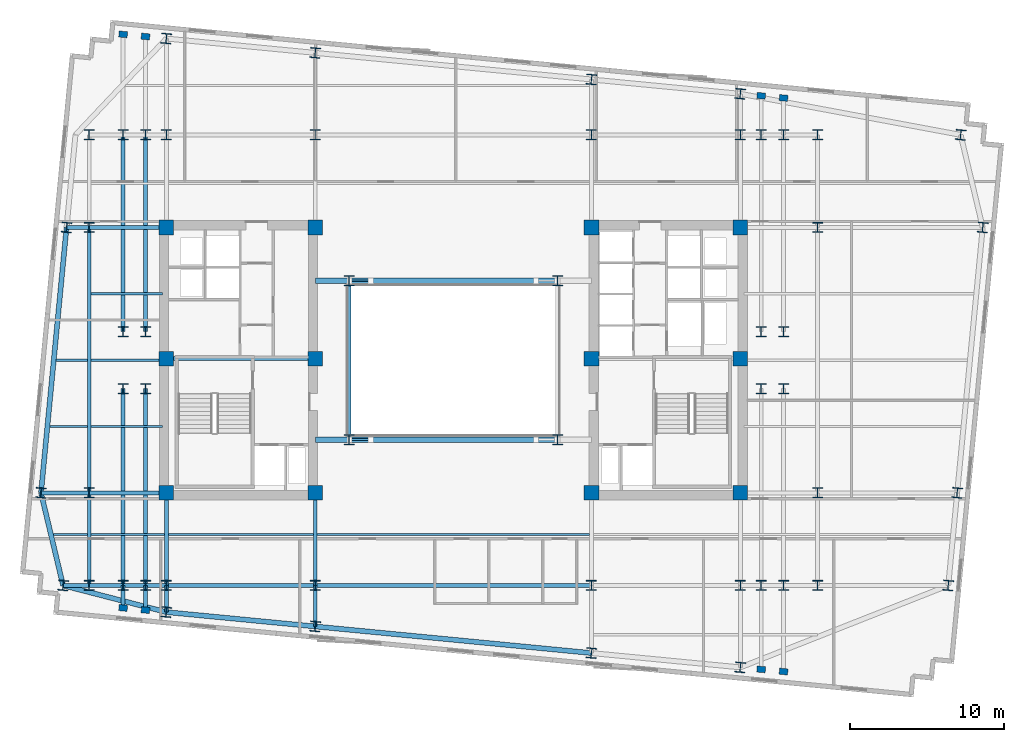
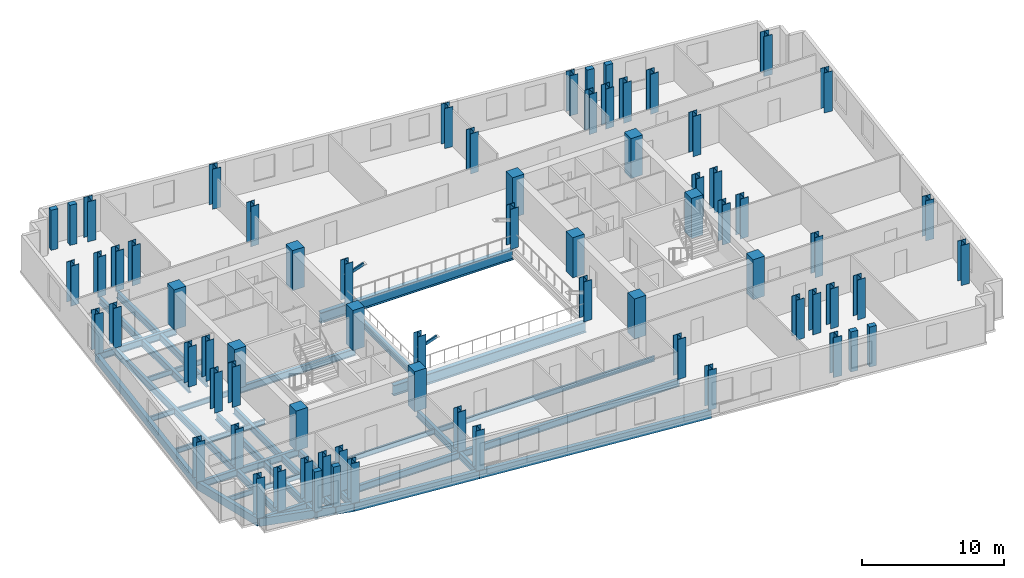
# One storey, part 1 of 9: 71 columns, 40 beams, 2 members.
"""IFC4 building model written with IfcOpenShell, lengths in metres."""

import ifcopenshell
import ifcopenshell.guid

model = None  # the IFC model being written
_history = None  # IfcOwnerHistory: only IFC2X3 demands one
_inside = {}  # id of a spatial element -> (the spatial element, [elements in it])
_under = {}  # id of a project, library or spatial element -> (it, [spatial elements below it])
_declared = {}  # id of a project -> (the project, [libraries it declares])
_typed = {}  # id of a type object -> (the type object, [elements of that type])
_made_of = {}  # id of a material, layer set ... -> (it, [elements and type objects made of it])


def new_model(schema):
    """Start an empty IFC model of exactly this schema.

    Asked for "IFC4X3", IfcOpenShell would pick the latest addendum, in which some entities
    have other attributes; the version numbers below select the first issue.
    IFC2X3 requires an IfcOwnerHistory on every rooted entity: one is made here for all.
    """
    global model, _history
    if schema == "IFC4X3":
        model = ifcopenshell.file(schema_version=(4, 3, 0, 0))
    else:
        model = ifcopenshell.file(schema=schema)
    _inside.clear()
    _under.clear()
    _declared.clear()
    _typed.clear()
    _made_of.clear()
    _history = None
    if model.schema == "IFC2X3":
        org = make("IfcOrganization", Name="unknown")
        user = make(
            "IfcPersonAndOrganization",
            ThePerson=make("IfcPerson", FamilyName="unknown"),
            TheOrganization=org,
        )
        app = make(
            "IfcApplication",
            ApplicationDeveloper=org,
            Version="unknown",
            ApplicationFullName="unknown",
            ApplicationIdentifier="unknown",
        )
        _history = make(
            "IfcOwnerHistory",
            OwningUser=user,
            OwningApplication=app,
            ChangeAction="ADDED",
            CreationDate=0,
        )
    return model


def make(cls, **values):
    """One entity of the class cls with the attributes given. An attribute that is None is left unset."""
    return model.create_entity(
        cls, **{name: value for name, value in values.items() if value is not None}
    )


def rooted(cls, **values):
    """An entity with a GlobalId (a new one), such as an element, a storey or a relation."""
    return make(cls, GlobalId=ifcopenshell.guid.new(), OwnerHistory=_history, **values)


def si_unit(unit_type, name, prefix=None):
    """IfcSIUnit, for example si_unit("LENGTHUNIT", "METRE", prefix="MILLI")."""
    return make("IfcSIUnit", UnitType=unit_type, Prefix=prefix, Name=name)


def assignment(units):
    """IfcUnitAssignment: the units of a project."""
    return None if units is None else make("IfcUnitAssignment", Units=units)


def point(xyz):
    """IfcCartesianPoint."""
    return None if xyz is None else make("IfcCartesianPoint", Coordinates=xyz)


def direction(xyz):
    """IfcDirection."""
    return None if xyz is None else make("IfcDirection", DirectionRatios=xyz)


def frame(location, z_axis=None, x_axis=None):
    """IfcAxis2Placement3D, a coordinate frame: its origin and axes. An axis left out is left unset."""
    return make(
        "IfcAxis2Placement3D",
        Location=point(location),
        Axis=direction(z_axis),
        RefDirection=direction(x_axis),
    )


def frame_2d(location, x_axis=None):
    """IfcAxis2Placement2D, a coordinate frame in the plane: its origin and x axis."""
    return make(
        "IfcAxis2Placement2D", Location=point(location), RefDirection=direction(x_axis)
    )


def origin():
    """The frame at (0, 0, 0) with its axes left unset."""
    return frame((0.0, 0.0, 0.0))


def origin_2d():
    """The frame at (0, 0) in the plane with its x axis left unset."""
    return frame_2d((0.0, 0.0))


def place(relative_to, where):
    """IfcLocalPlacement: puts the frame where relative to a parent placement (None: the world)."""
    return make(
        "IfcLocalPlacement", PlacementRelTo=relative_to, RelativePlacement=where
    )


def context(
    kind, dimensions, precision=None, world=None, true_north=None, identifier=None
):
    """IfcGeometricRepresentationContext, for example the 3D "Model" context."""
    return make(
        "IfcGeometricRepresentationContext",
        ContextIdentifier=identifier,
        ContextType=kind,
        CoordinateSpaceDimension=dimensions,
        Precision=precision,
        WorldCoordinateSystem=world,
        TrueNorth=true_north,
    )


def subcontext(parent, identifier, kind, view, scale=None):
    """IfcGeometricRepresentationSubContext, for example "Body" below "Model"."""
    return make(
        "IfcGeometricRepresentationSubContext",
        ContextIdentifier=identifier,
        ContextType=kind,
        ParentContext=parent,
        TargetScale=scale,
        TargetView=view,
    )


def project(units=None, contexts=None):
    """IfcProject with its units and contexts."""
    return rooted(
        "IfcProject",
        Name="project",
        RepresentationContexts=contexts,
        UnitsInContext=assignment(units),
    )


def spatial(cls, under=None, at=None, **own):
    """A site, building, storey or space (cls), placed at a placement, below another one or the project."""
    s = rooted(cls, ObjectPlacement=at, **own)
    if under is not None:
        _under.setdefault(under.id(), (under, []))[1].append(s)
    return s


def profile(cls, at=None, kind="AREA", **sizes):
    """A parametric profile (cls). Its sizes go by their IFC names, for example OverallWidth=200.0."""
    return make(cls, ProfileType=kind, Position=at, **sizes)


def rectangle(**sizes):
    """IfcRectangleProfileDef."""
    return profile("IfcRectangleProfileDef", **sizes)


def hollow_rectangle(**sizes):
    """IfcRectangleHollowProfileDef."""
    return profile("IfcRectangleHollowProfileDef", **sizes)


def i_section(**sizes):
    """IfcIShapeProfileDef."""
    return profile("IfcIShapeProfileDef", **sizes)


def extrude(swept, where, along, depth):
    """IfcExtrudedAreaSolid: the profile swept, set in the frame where, extruded along a direction by depth."""
    return make(
        "IfcExtrudedAreaSolid",
        SweptArea=swept,
        Position=where,
        ExtrudedDirection=direction(along),
        Depth=depth,
    )


def shape(context_of_items, identifier, shape_type, items):
    """IfcShapeRepresentation: the items that make up one representation, for example the "Body"."""
    return make(
        "IfcShapeRepresentation",
        ContextOfItems=context_of_items,
        RepresentationIdentifier=identifier,
        RepresentationType=shape_type,
        Items=items,
    )


def material(Name=None, Category=None):
    """IfcMaterial."""
    return make("IfcMaterial", Name=Name, Category=Category)


def material_profile(
    of_material, cross_section, Name=None, Category=None, Priority=None
):
    """IfcMaterialProfile: a cross section and its material."""
    return make(
        "IfcMaterialProfile",
        Name=Name,
        Material=of_material,
        Profile=cross_section,
        Priority=Priority,
        Category=Category,
    )


def profile_set(profiles, Name=None, composite=None):
    """IfcMaterialProfileSet."""
    return make(
        "IfcMaterialProfileSet",
        Name=Name,
        MaterialProfiles=profiles,
        CompositeProfile=composite,
    )


def made_of(thing, what):
    """Note that an element or type object is made of a material, layer set ...; save() writes the relation."""
    if what is not None:
        _made_of.setdefault(what.id(), (what, []))[1].append(thing)
    return thing


def type_object(cls, material=None, **own):
    """A type object (cls), such as IfcWallType, which elements share."""
    return made_of(rooted(cls, **own), material)


def element(
    cls,
    number,
    at=None,
    inside=None,
    cuts=None,
    type_object=None,
    material=None,
    context=None,
    identifier="Body",
    shape_type=None,
    held_by="IfcProductDefinitionShape",
    body=None,
    shapes=None,
    **own,
):
    """One element of the class cls, such as IfcWall. Its Tag is "e" and its number.

    at: its placement. inside: the storey or other place that contains it. cuts: it is an
    opening in that element (IfcRelVoidsElement). A single representation is given by context,
    identifier, shape_type and body (its items); several are given by shapes. held_by: the class
    of the entity that holds the representations. save() writes the other relations.
    """
    e = rooted(cls, Tag="e%d" % number, ObjectPlacement=at, **own)
    if body is not None:
        shapes = [shape(context, identifier, shape_type, body)]
    if shapes is not None:
        e.Representation = make(held_by, Representations=shapes)
    if inside is not None:
        _inside.setdefault(inside.id(), (inside, []))[1].append(e)
    if cuts is not None:
        rooted(
            "IfcRelVoidsElement", RelatingBuildingElement=cuts, RelatedOpeningElement=e
        )
    if type_object is not None:
        _typed.setdefault(type_object.id(), (type_object, []))[1].append(e)
    return made_of(e, material)


def aggregate(whole, parts):
    """IfcRelAggregates: a whole, such as a stair, and the parts it consists of."""
    return rooted("IfcRelAggregates", RelatingObject=whole, RelatedObjects=parts)


def save(model, path):
    """Write the relations noted so far, then the file.

    IfcRelAggregates (storeys below a building ...), IfcRelContainedInSpatialStructure (elements
    in a storey), IfcRelDefinesByType, IfcRelAssociatesMaterial and IfcRelDeclares: one each for
    every whole, place, type object, material and project.
    """
    for whole, parts in _under.values():
        aggregate(whole, parts)
    for where, things in _inside.values():
        rooted(
            "IfcRelContainedInSpatialStructure",
            RelatedElements=things,
            RelatingStructure=where,
        )
    for kind, things in _typed.values():
        rooted("IfcRelDefinesByType", RelatedObjects=things, RelatingType=kind)
    for what, things in _made_of.values():
        rooted("IfcRelAssociatesMaterial", RelatedObjects=things, RelatingMaterial=what)
    for by, libraries in _declared.values():
        rooted("IfcRelDeclares", RelatingContext=by, RelatedDefinitions=libraries)
    model.write(path)


model = new_model("IFC4")

# Units and contexts
model_context = context("Model", 3, precision=1e-05, world=origin(), true_north=direction((0.0, 1.0)))
body_context = subcontext(model_context, "Body", "Model", "MODEL_VIEW")
ifc_project = project(units=[si_unit("LENGTHUNIT", "METRE"), si_unit("AREAUNIT", "SQUARE_METRE"), si_unit("VOLUMEUNIT", "CUBIC_METRE"), si_unit("PLANEANGLEUNIT", "RADIAN"), si_unit("MASSUNIT", "GRAM", prefix="KILO")], contexts=[model_context])

# Site, building, storey
site_placement = place(None, origin())
site = spatial("IfcSite", under=ifc_project, at=site_placement, CompositionType="ELEMENT")
building_placement = place(site_placement, origin())
building = spatial("IfcBuilding", under=site, at=building_placement, Name="Velakula Bourse", CompositionType="ELEMENT")
storey_placement = place(building_placement, frame((0.0, 0.0, 191.449951171875)))
storey = spatial("IfcBuildingStorey", under=building, at=storey_placement, Name="L52", CompositionType="ELEMENT", Elevation=191.449951171875)

# Columns
ifc_material_1 = material(Name="Concrete M70 (fck 70 MPa)", Category="concrete")
ifc_material_profile_1 = material_profile(ifc_material_1, rectangle(XDim=0.949951171875, YDim=0.949951171875, at=origin_2d()), Name="Concrete M70 (fck 70 MPa)")
ifc_profile_set_1 = profile_set([ifc_material_profile_1], Name="Concrete M70 (fck 70 MPa)")
column_type_1 = type_object("IfcColumnType", Name="COL-RC-950", PredefinedType="COLUMN", material=ifc_profile_set_1)
for number, where, z_axis, x_axis, name in (
    (1, (-8.949951171875, -8.60009765625, 0.0), (0.0, 0.0, 1.0), (1.0, 0.0, 0.0), "L52 Core Boundary Column 01"),
    (2, (-8.949951171875, 0.10009765625, 0.0), (0.0, 0.0, 1.0), (1.0, 0.0, 0.0), "L52 Core Boundary Column 02"),
    (3, (-8.949951171875, 8.60009765625, 0.0), (0.0, 0.0, 1.0), (1.0, 0.0, 0.0), "L52 Core Boundary Column 03"),
    (4, (-18.60009765625, -8.60009765625, 0.0), (0.0, 0.0, 1.0), (1.0, 0.0, 0.0), "L52 Core Boundary Column 04"),
    (5, (-18.60009765625, 0.10009765625, 0.0), (0.0, 0.0, 1.0), (1.0, 0.0, 0.0), "L52 Core Boundary Column 05"),
    (6, (-18.60009765625, 8.60009765625, 0.0), (0.0, 0.0, 1.0), (1.0, 0.0, 0.0), "L52 Core Boundary Column 06"),
    (7, (8.949951171875, -8.60009765625, 0.0), (0.0, 0.0, 1.0), (1.0, 0.0, 0.0), "L52 Core Boundary Column 07"),
    (8, (8.949951171875, 0.10009765625, 0.0), (0.0, 0.0, 1.0), (1.0, 0.0, 0.0), "L52 Core Boundary Column 08"),
    (9, (8.949951171875, 8.60009765625, 0.0), (0.0, 0.0, 1.0), (1.0, 0.0, 0.0), "L52 Core Boundary Column 09"),
    (10, (18.60009765625, -8.60009765625, 0.0), (0.0, 0.0, 1.0), (1.0, 0.0, 0.0), "L52 Core Boundary Column 10"),
    (11, (18.60009765625, 0.10009765625, 0.0), (0.0, 0.0, 1.0), (1.0, 0.0, 0.0), "L52 Core Boundary Column 11"),
    (12, (18.60009765625, 8.60009765625, 0.0), (0.0, 0.0, 1.0), (1.0, 0.0, 0.0), "L52 Core Boundary Column 12"),
):
    element("IfcColumn", number, at=place(storey_placement, frame(where, z_axis=z_axis, x_axis=x_axis)), inside=storey, type_object=column_type_1, Name=name, PredefinedType="COLUMN", context=body_context, shape_type="SweptSolid", body=[
        extrude(rectangle(XDim=0.949951171875, YDim=0.949951171875, at=origin_2d()), origin(), (0.0, 0.0, 1.0), 3.449951171875),
    ])
ifc_material_2 = material(Name="Steel IS 2062 Grade 350 (E350)", Category="steel")
ifc_material_profile_2 = material_profile(ifc_material_2, i_section(OverallWidth=0.64990234375, OverallDepth=0.64990234375, WebThickness=0.028076171875, FlangeThickness=0.0400390625, at=origin_2d()), Name="Steel IS 2062 Grade 350 (E350)")
ifc_profile_set_2 = profile_set([ifc_material_profile_2], Name="Steel IS 2062 Grade 350 (E350)")
column_type_2 = type_object("IfcColumnType", Name="COL-STL-650", PredefinedType="COLUMN", material=ifc_profile_set_2)
for number, where, z_axis, x_axis, name in (
    (13, (-6.75, -5.14990234375, 0.0), (0.0, 0.0, 1.0), (1.0, 0.0, 0.0), "L52 Central Spine Column 01"),
    (14, (-6.75, 5.14990234375, 0.0), (0.0, 0.0, 1.0), (1.0, 0.0, 0.0), "L52 Central Spine Column 02"),
    (15, (6.75, -5.14990234375, 0.0), (0.0, 0.0, 1.0), (1.0, 0.0, 0.0), "L52 Central Spine Column 03"),
    (16, (6.75, 5.14990234375, 0.0), (0.0, 0.0, 1.0), (1.0, 0.0, 0.0), "L52 Central Spine Column 04"),
    (17, (-21.39990234375, -14.60009765625, 0.0), (0.0, 0.0, 1.0), (1.0, 0.0, 0.0), "L52 Tower Fulcrum Column 01"),
    (18, (-21.39990234375, 14.60009765625, 0.0), (0.0, 0.0, 1.0), (1.0, 0.0, 0.0), "L52 Tower Fulcrum Column 02"),
    (19, (-19.949951171875, -14.60009765625, 0.0), (0.0, 0.0, 1.0), (1.0, 0.0, 0.0), "L52 Tower Fulcrum Column 03"),
    (20, (-19.949951171875, 14.60009765625, 0.0), (0.0, 0.0, 1.0), (1.0, 0.0, 0.0), "L52 Tower Fulcrum Column 04"),
    (21, (-18.60009765625, -14.60009765625, 0.0), (0.0, 0.0, 1.0), (1.0, 0.0, 0.0), "L52 Tower Fulcrum Column 05"),
    (22, (-18.60009765625, 14.60009765625, 0.0), (0.0, 0.0, 1.0), (1.0, 0.0, 0.0), "L52 Tower Fulcrum Column 06"),
    (23, (-8.949951171875, -14.60009765625, 0.0), (0.0, 0.0, 1.0), (1.0, 0.0, 0.0), "L52 Tower Fulcrum Column 07"),
    (24, (-8.949951171875, 14.60009765625, 0.0), (0.0, 0.0, 1.0), (1.0, 0.0, 0.0), "L52 Tower Fulcrum Column 08"),
    (25, (8.949951171875, -14.60009765625, 0.0), (0.0, 0.0, 1.0), (1.0, 0.0, 0.0), "L52 Tower Fulcrum Column 09"),
    (26, (8.949951171875, 14.60009765625, 0.0), (0.0, 0.0, 1.0), (1.0, 0.0, 0.0), "L52 Tower Fulcrum Column 10"),
    (27, (18.60009765625, -14.60009765625, 0.0), (0.0, 0.0, 1.0), (1.0, 0.0, 0.0), "L52 Tower Fulcrum Column 11"),
    (28, (18.60009765625, 14.60009765625, 0.0), (0.0, 0.0, 1.0), (1.0, 0.0, 0.0), "L52 Tower Fulcrum Column 12"),
    (29, (19.949951171875, -14.60009765625, 0.0), (0.0, 0.0, 1.0), (1.0, 0.0, 0.0), "L52 Tower Fulcrum Column 13"),
    (30, (19.949951171875, 14.60009765625, 0.0), (0.0, 0.0, 1.0), (1.0, 0.0, 0.0), "L52 Tower Fulcrum Column 14"),
    (31, (21.39990234375, -14.60009765625, 0.0), (0.0, 0.0, 1.0), (1.0, 0.0, 0.0), "L52 Tower Fulcrum Column 15"),
    (32, (21.39990234375, 14.60009765625, 0.0), (0.0, 0.0, 1.0), (1.0, 0.0, 0.0), "L52 Tower Fulcrum Column 16"),
    (33, (-21.39990234375, -1.85009765625, 0.0), (0.0, 0.0, 1.0), (1.0, 0.0, 0.0), "L52 Tower Fulcrum Column 17"),
    (34, (-21.39990234375, 1.85009765625, 0.0), (0.0, 0.0, 1.0), (1.0, 0.0, 0.0), "L52 Tower Fulcrum Column 18"),
    (35, (-19.949951171875, -1.85009765625, 0.0), (0.0, 0.0, 1.0), (1.0, 0.0, 0.0), "L52 Tower Fulcrum Column 19"),
    (36, (-19.949951171875, 1.85009765625, 0.0), (0.0, 0.0, 1.0), (1.0, 0.0, 0.0), "L52 Tower Fulcrum Column 20"),
    (37, (19.949951171875, -1.85009765625, 0.0), (0.0, 0.0, 1.0), (1.0, 0.0, 0.0), "L52 Tower Fulcrum Column 21"),
    (38, (19.949951171875, 1.85009765625, 0.0), (0.0, 0.0, 1.0), (1.0, 0.0, 0.0), "L52 Tower Fulcrum Column 22"),
    (39, (21.39990234375, -1.85009765625, 0.0), (0.0, 0.0, 1.0), (1.0, 0.0, 0.0), "L52 Tower Fulcrum Column 23"),
    (40, (21.39990234375, 1.85009765625, 0.0), (0.0, 0.0, 1.0), (1.0, 0.0, 0.0), "L52 Tower Fulcrum Column 24"),
    (41, (-23.60009765625, -14.60009765625, 0.0), (0.0, 0.0, 1.0), (1.0, 0.0, 0.0), "L52 Mid-Wing Plumb Column 01"),
    (42, (-23.60009765625, -8.60009765625, 0.0), (0.0, 0.0, 1.0), (1.0, 0.0, 0.0), "L52 Mid-Wing Plumb Column 02"),
    (43, (-23.60009765625, 8.60009765625, 0.0), (0.0, 0.0, 1.0), (1.0, 0.0, 0.0), "L52 Mid-Wing Plumb Column 03"),
    (44, (-23.60009765625, 14.60009765625, 0.0), (0.0, 0.0, 1.0), (1.0, 0.0, 0.0), "L52 Mid-Wing Plumb Column 04"),
    (45, (23.60009765625, -14.60009765625, 0.0), (0.0, 0.0, 1.0), (1.0, 0.0, 0.0), "L52 Mid-Wing Plumb Column 05"),
    (46, (23.60009765625, -8.60009765625, 0.0), (0.0, 0.0, 1.0), (1.0, 0.0, 0.0), "L52 Mid-Wing Plumb Column 06"),
    (47, (23.60009765625, 8.60009765625, 0.0), (0.0, 0.0, 1.0), (1.0, 0.0, 0.0), "L52 Mid-Wing Plumb Column 07"),
    (48, (23.60009765625, 14.60009765625, 0.0), (0.0, 0.0, 1.0), (1.0, 0.0, 0.0), "L52 Mid-Wing Plumb Column 08"),
    (49, (-18.60009765625, -16.32861328125, 0.0), (0.0, 0.0, 1.0), (0.995396198367, -0.09584575252, 0.0), "L52 Block B4 Perimeter Column S1"),
    (50, (-8.949951171875, -17.2578125, 0.0), (0.0, 0.0, 1.0), (0.995396198367, -0.09584575252, 0.0), "L52 Block B4 Perimeter Column S2"),
    (51, (8.949951171875, -18.9814453125, 0.0), (0.0, 0.0, 1.0), (0.995396198367, -0.09584575252, 0.0), "L52 Block B4 Perimeter Column S3"),
    (52, (18.60009765625, -19.91064453125, 0.0), (0.0, 0.0, 1.0), (0.995396198367, -0.09584575252, 0.0), "L52 Block B4 Perimeter Column S4"),
    (53, (-18.60009765625, 20.84228515625, 0.0), (0.0, 0.0, 1.0), (0.995396198367, -0.09584575252, 0.0), "L52 Block B4 Perimeter Column N1"),
    (54, (-8.949951171875, 19.9130859375, 0.0), (0.0, 0.0, 1.0), (0.995396198367, -0.09584575252, 0.0), "L52 Block B4 Perimeter Column N2"),
    (55, (8.949951171875, 18.189697265625, 0.0), (0.0, 0.0, 1.0), (0.995396198367, -0.09584575252, 0.0), "L52 Block B4 Perimeter Column N3"),
    (56, (18.60009765625, 17.260498046875, 0.0), (0.0, 0.0, 1.0), (0.995396198367, -0.09584575252, 0.0), "L52 Block B4 Perimeter Column N4"),
    (57, (-25.29296875, -14.60009765625, 0.0), (0.0, 0.0, 1.0), (0.995396198367, -0.09584575252, 0.0), "L52 Block B4 Perimeter Column W1"),
    (58, (-26.724365234375, -8.60009765625, 0.0), (0.0, 0.0, 1.0), (0.995396198367, -0.09584575252, 0.0), "L52 Block B4 Perimeter Column W2"),
    (59, (-25.068115234375, 8.60009765625, 0.0), (0.0, 0.0, 1.0), (0.995396198367, -0.09584575252, 0.0), "L52 Block B4 Perimeter Column W3"),
    (60, (32.0712890625, -14.60009765625, 0.0), (0.0, 0.0, 1.0), (0.995396198367, -0.09584575252, 0.0), "L52 Block B4 Perimeter Column E1"),
    (61, (32.64892578125, -8.60009765625, 0.0), (0.0, 0.0, 1.0), (0.995396198367, -0.09584575252, 0.0), "L52 Block B4 Perimeter Column E2"),
    (62, (34.30517578125, 8.60009765625, 0.0), (0.0, 0.0, 1.0), (0.995396198367, -0.09584575252, 0.0), "L52 Block B4 Perimeter Column E3"),
    (63, (32.87353515625, 14.60009765625, 0.0), (0.0, 0.0, 1.0), (0.995396198367, -0.09584575252, 0.0), "L52 Block B4 Perimeter Column E4"),
):
    element("IfcColumn", number, at=place(storey_placement, frame(where, z_axis=z_axis, x_axis=x_axis)), inside=storey, type_object=column_type_2, Name=name, PredefinedType="COLUMN", context=body_context, shape_type="SweptSolid", body=[
        extrude(i_section(OverallWidth=0.64990234375, OverallDepth=0.64990234375, WebThickness=0.028076171875, FlangeThickness=0.0400390625, at=origin_2d()), origin(), (0.0, 0.0, 1.0), 3.449951171875),
    ])
ifc_material_3 = material(Name="Precast concrete M45 (fck 45 MPa)", Category="concrete")
ifc_material_profile_3 = material_profile(ifc_material_3, rectangle(XDim=0.550048828125, YDim=0.39990234375, at=origin_2d()), Name="Precast concrete M45 (fck 45 MPa)")
ifc_profile_set_3 = profile_set([ifc_material_profile_3], Name="Precast concrete M45 (fck 45 MPa)")
column_type_3 = type_object("IfcColumnType", Name="PIL-BRICK-550", PredefinedType="PILASTER", material=ifc_profile_set_3)
for number, where, z_axis, x_axis, name in (
    (64, (-21.39990234375, -16.05908203125, 0.0), (0.0, 0.0, 1.0), (0.995396198367, -0.09584575252, 0.0), "L52 Brick Pier Pilaster 01"),
    (65, (-19.949951171875, -16.19873046875, 0.0), (0.0, 0.0, 1.0), (0.995396198367, -0.09584575252, 0.0), "L52 Brick Pier Pilaster 02"),
    (66, (19.949951171875, -20.04052734375, 0.0), (0.0, 0.0, 1.0), (0.995396198367, -0.09584575252, 0.0), "L52 Brick Pier Pilaster 03"),
    (67, (21.39990234375, -20.180419921875, 0.0), (0.0, 0.0, 1.0), (0.995396198367, -0.09584575252, 0.0), "L52 Brick Pier Pilaster 04"),
    (68, (-21.39990234375, 21.112060546875, 0.0), (0.0, 0.0, 1.0), (0.995396198367, -0.09584575252, 0.0), "L52 Brick Pier Pilaster 05"),
    (69, (-19.949951171875, 20.972412109375, 0.0), (0.0, 0.0, 1.0), (0.995396198367, -0.09584575252, 0.0), "L52 Brick Pier Pilaster 06"),
    (70, (19.949951171875, 17.130615234375, 0.0), (0.0, 0.0, 1.0), (0.995396198367, -0.09584575252, 0.0), "L52 Brick Pier Pilaster 07"),
    (71, (21.39990234375, 16.990966796875, 0.0), (0.0, 0.0, 1.0), (0.995396198367, -0.09584575252, 0.0), "L52 Brick Pier Pilaster 08"),
):
    element("IfcColumn", number, at=place(storey_placement, frame(where, z_axis=z_axis, x_axis=x_axis)), inside=storey, type_object=column_type_3, Name=name, PredefinedType="PILASTER", context=body_context, shape_type="SweptSolid", body=[
        extrude(rectangle(XDim=0.550048828125, YDim=0.39990234375, at=origin_2d()), origin(), (0.0, 0.0, 1.0), 3.449951171875),
    ])

# Beams
ifc_material_profile_4 = material_profile(ifc_material_2, i_section(OverallWidth=0.25, OverallDepth=0.60009765625, WebThickness=0.01123046875, FlangeThickness=0.021240234375, at=origin_2d()), Name="Steel IS 2062 Grade 350 (E350)")
ifc_profile_set_4 = profile_set([ifc_material_profile_4], Name="Steel IS 2062 Grade 350 (E350)")
beam_type_1 = type_object("IfcBeamType", Name="BM-GRD-600M", PredefinedType="BEAM", material=ifc_profile_set_4)
beam_1_placement = place(storey_placement, frame((-18.60009765625, 0.10009765625, -0.47998046875), z_axis=(1.0, 0.0, 0.0), x_axis=(0.0, 1.0, 0.0)))
element("IfcBeam", 72, at=beam_1_placement, inside=storey, type_object=beam_type_1, Name="L52 Primary Backbone Girder CRW-M", PredefinedType="BEAM", context=body_context, shape_type="SweptSolid", body=[
    extrude(i_section(OverallWidth=0.25, OverallDepth=0.60009765625, WebThickness=0.01123046875, FlangeThickness=0.021240234375, at=origin_2d()), origin(), (0.0, 0.0, 1.0), 9.650146484375),
])
beam_2_placement = place(storey_placement, frame((-6.75, -5.14990234375, -0.47998046875), z_axis=(0.0, 1.0, 0.0), x_axis=(-1.0, 0.0, 0.0)))
element("IfcBeam", 73, at=beam_2_placement, inside=storey, type_object=beam_type_1, Name="L52 Primary Backbone Girder SPN-W", PredefinedType="BEAM", context=body_context, shape_type="SweptSolid", body=[
    extrude(i_section(OverallWidth=0.25, OverallDepth=0.60009765625, WebThickness=0.01123046875, FlangeThickness=0.021240234375, at=origin_2d()), origin(), (0.0, 0.0, 1.0), 10.2998046875),
])
for number, where, z_axis, x_axis, name in (
    (74, (-18.60009765625, -14.60009765625, -0.47998046875), (0.0, 1.0, 0.0), (-1.0, 0.0, 0.0), "L52 Fulcrum Grid Girder FLC-WS"),
    (75, (-8.949951171875, -14.60009765625, -0.47998046875), (0.0, 1.0, 0.0), (-1.0, 0.0, 0.0), "L52 Fulcrum Grid Girder FLC-WCS"),
):
    element("IfcBeam", number, at=place(storey_placement, frame(where, z_axis=z_axis, x_axis=x_axis)), inside=storey, type_object=beam_type_1, Name=name, PredefinedType="BEAM", context=body_context, shape_type="SweptSolid", body=[
        extrude(i_section(OverallWidth=0.25, OverallDepth=0.60009765625, WebThickness=0.01123046875, FlangeThickness=0.021240234375, at=origin_2d()), origin(), (0.0, 0.0, 1.0), 6.0),
    ])
beam_3_placement = place(storey_placement, frame((-18.60009765625, -14.60009765625, -0.47998046875), z_axis=(1.0, 0.0, 0.0), x_axis=(0.0, 1.0, 0.0)))
element("IfcBeam", 76, at=beam_3_placement, inside=storey, type_object=beam_type_1, Name="L52 Fulcrum Grid Girder FLC-S1", PredefinedType="BEAM", context=body_context, shape_type="SweptSolid", body=[
    extrude(i_section(OverallWidth=0.25, OverallDepth=0.60009765625, WebThickness=0.01123046875, FlangeThickness=0.021240234375, at=origin_2d()), origin(), (0.0, 0.0, 1.0), 9.650146484375),
])
beam_4_placement = place(storey_placement, frame((-8.949951171875, -14.60009765625, -0.47998046875), z_axis=(1.0, 0.0, 0.0), x_axis=(0.0, 1.0, 0.0)))
element("IfcBeam", 77, at=beam_4_placement, inside=storey, type_object=beam_type_1, Name="L52 Fulcrum Grid Girder FLC-S2", PredefinedType="BEAM", context=body_context, shape_type="SweptSolid", body=[
    extrude(i_section(OverallWidth=0.25, OverallDepth=0.60009765625, WebThickness=0.01123046875, FlangeThickness=0.021240234375, at=origin_2d()), origin(), (0.0, 0.0, 1.0), 17.89990234375),
])
for number, where, z_axis, x_axis, name in (
    (78, (-21.39990234375, -14.60009765625, -0.47998046875), (0.0, 1.0, 0.0), (-1.0, 0.0, 0.0), "L52 Fulcrum Grid Girder FLC-PSW1"),
    (79, (-21.39990234375, 1.85009765625, -0.47998046875), (0.0, 1.0, 0.0), (-1.0, 0.0, 0.0), "L52 Fulcrum Grid Girder FLC-PNW1"),
    (80, (-19.949951171875, -14.60009765625, -0.47998046875), (0.0, 1.0, 0.0), (-1.0, 0.0, 0.0), "L52 Fulcrum Grid Girder FLC-PSW2"),
    (81, (-19.949951171875, 1.85009765625, -0.47998046875), (0.0, 1.0, 0.0), (-1.0, 0.0, 0.0), "L52 Fulcrum Grid Girder FLC-PNW2"),
):
    element("IfcBeam", number, at=place(storey_placement, frame(where, z_axis=z_axis, x_axis=x_axis)), inside=storey, type_object=beam_type_1, Name=name, PredefinedType="BEAM", context=body_context, shape_type="SweptSolid", body=[
        extrude(i_section(OverallWidth=0.25, OverallDepth=0.60009765625, WebThickness=0.01123046875, FlangeThickness=0.021240234375, at=origin_2d()), origin(), (0.0, 0.0, 1.0), 12.75),
    ])
for number, where, z_axis, x_axis, name in (
    (82, (-23.60009765625, -14.60009765625, -0.47998046875), (1.0, 0.0, 0.0), (0.0, 1.0, 0.0), "L52 Fulcrum Grid Girder MWG-WS1"),
    (83, (-23.60009765625, -8.60009765625, -0.47998046875), (1.0, 0.0, 0.0), (0.0, 1.0, 0.0), "L52 Fulcrum Grid Girder MWG-WS2"),
    (84, (-23.60009765625, 8.60009765625, -0.47998046875), (1.0, 0.0, 0.0), (0.0, 1.0, 0.0), "L52 Fulcrum Grid Girder MWG-WN1"),
):
    element("IfcBeam", number, at=place(storey_placement, frame(where, z_axis=z_axis, x_axis=x_axis)), inside=storey, type_object=beam_type_1, Name=name, PredefinedType="BEAM", context=body_context, shape_type="SweptSolid", body=[
        extrude(i_section(OverallWidth=0.25, OverallDepth=0.60009765625, WebThickness=0.01123046875, FlangeThickness=0.021240234375, at=origin_2d()), origin(), (0.0, 0.0, 1.0), 5.0),
    ])
beam_5_placement = place(storey_placement, frame((-23.60009765625, -14.60009765625, -0.47998046875), z_axis=(0.0, 1.0, 0.0), x_axis=(-1.0, 0.0, 0.0)))
element("IfcBeam", 85, at=beam_5_placement, inside=storey, type_object=beam_type_1, Name="L52 Fulcrum Grid Girder MWG-WNS1", PredefinedType="BEAM", context=body_context, shape_type="SweptSolid", body=[
    extrude(i_section(OverallWidth=0.25, OverallDepth=0.60009765625, WebThickness=0.01123046875, FlangeThickness=0.021240234375, at=origin_2d()), origin(), (0.0, 0.0, 1.0), 6.0),
])
beam_6_placement = place(storey_placement, frame((-23.60009765625, -8.60009765625, -0.47998046875), z_axis=(0.0, 1.0, 0.0), x_axis=(-1.0, 0.0, 0.0)))
element("IfcBeam", 86, at=beam_6_placement, inside=storey, type_object=beam_type_1, Name="L52 Fulcrum Grid Girder MWG-WNS2", PredefinedType="BEAM", context=body_context, shape_type="SweptSolid", body=[
    extrude(i_section(OverallWidth=0.25, OverallDepth=0.60009765625, WebThickness=0.01123046875, FlangeThickness=0.021240234375, at=origin_2d()), origin(), (0.0, 0.0, 1.0), 17.2001953125),
])
beam_7_placement = place(storey_placement, frame((-18.60009765625, -14.60009765625, -0.47998046875), z_axis=(0.0, -1.0, 0.0), x_axis=(1.0, 0.0, 0.0)))
element("IfcBeam", 87, at=beam_7_placement, inside=storey, type_object=beam_type_1, Name="L52 Perimeter Tie Girder S1", PredefinedType="BEAM", context=body_context, shape_type="SweptSolid", body=[
    extrude(i_section(OverallWidth=0.25, OverallDepth=0.60009765625, WebThickness=0.01123046875, FlangeThickness=0.021240234375, at=origin_2d()), origin(), (0.0, 0.0, 1.0), 1.728515625),
])
beam_8_placement = place(storey_placement, frame((-8.949951171875, -14.60009765625, -0.47998046875), z_axis=(0.0, -1.0, 0.0), x_axis=(1.0, 0.0, 0.0)))
element("IfcBeam", 88, at=beam_8_placement, inside=storey, type_object=beam_type_1, Name="L52 Perimeter Tie Girder S2", PredefinedType="BEAM", context=body_context, shape_type="SweptSolid", body=[
    extrude(i_section(OverallWidth=0.25, OverallDepth=0.60009765625, WebThickness=0.01123046875, FlangeThickness=0.021240234375, at=origin_2d()), origin(), (0.0, 0.0, 1.0), 2.65771484375),
])
beam_9_placement = place(storey_placement, frame((-23.60009765625, -14.60009765625, -0.47998046875), z_axis=(-1.0, 0.0, 0.0), x_axis=(0.0, -1.0, 0.0)))
element("IfcBeam", 89, at=beam_9_placement, inside=storey, type_object=beam_type_1, Name="L52 Perimeter Tie Girder W1", PredefinedType="BEAM", context=body_context, shape_type="SweptSolid", body=[
    extrude(i_section(OverallWidth=0.25, OverallDepth=0.60009765625, WebThickness=0.01123046875, FlangeThickness=0.021240234375, at=origin_2d()), origin(), (0.0, 0.0, 1.0), 1.69287109375),
])
beam_10_placement = place(storey_placement, frame((-23.60009765625, -8.60009765625, -0.47998046875), z_axis=(-1.0, 0.0, 0.0), x_axis=(0.0, -1.0, 0.0)))
element("IfcBeam", 90, at=beam_10_placement, inside=storey, type_object=beam_type_1, Name="L52 Perimeter Tie Girder W2", PredefinedType="BEAM", context=body_context, shape_type="SweptSolid", body=[
    extrude(i_section(OverallWidth=0.25, OverallDepth=0.60009765625, WebThickness=0.01123046875, FlangeThickness=0.021240234375, at=origin_2d()), origin(), (0.0, 0.0, 1.0), 3.124267578125),
])
beam_11_placement = place(storey_placement, frame((-23.60009765625, 8.60009765625, -0.47998046875), z_axis=(-1.0, 0.0, 0.0), x_axis=(0.0, -1.0, 0.0)))
element("IfcBeam", 91, at=beam_11_placement, inside=storey, type_object=beam_type_1, Name="L52 Perimeter Tie Girder W3", PredefinedType="BEAM", context=body_context, shape_type="SweptSolid", body=[
    extrude(i_section(OverallWidth=0.25, OverallDepth=0.60009765625, WebThickness=0.01123046875, FlangeThickness=0.021240234375, at=origin_2d()), origin(), (0.0, 0.0, 1.0), 1.468017578125),
])
beam_12_placement = place(storey_placement, frame((-21.39990234375, -14.60009765625, -0.47998046875), z_axis=(0.0, -1.0, 0.0), x_axis=(1.0, 0.0, 0.0)))
element("IfcBeam", 92, at=beam_12_placement, inside=storey, type_object=beam_type_1, Name="L52 Perimeter Tie Girder P01", PredefinedType="BEAM", context=body_context, shape_type="SweptSolid", body=[
    extrude(i_section(OverallWidth=0.25, OverallDepth=0.60009765625, WebThickness=0.01123046875, FlangeThickness=0.021240234375, at=origin_2d()), origin(), (0.0, 0.0, 1.0), 1.458984375),
])
beam_13_placement = place(storey_placement, frame((-19.949951171875, -14.60009765625, -0.47998046875), z_axis=(0.0, -1.0, 0.0), x_axis=(1.0, 0.0, 0.0)))
element("IfcBeam", 93, at=beam_13_placement, inside=storey, type_object=beam_type_1, Name="L52 Perimeter Tie Girder P02", PredefinedType="BEAM", context=body_context, shape_type="SweptSolid", body=[
    extrude(i_section(OverallWidth=0.25, OverallDepth=0.60009765625, WebThickness=0.01123046875, FlangeThickness=0.021240234375, at=origin_2d()), origin(), (0.0, 0.0, 1.0), 1.5986328125),
])
ifc_material_profile_5 = material_profile(ifc_material_2, i_section(OverallWidth=0.35009765625, OverallDepth=0.89990234375, WebThickness=0.02001953125, FlangeThickness=0.031982421875, at=origin_2d()), Name="Steel IS 2062 Grade 350 (E350)")
ifc_profile_set_5 = profile_set([ifc_material_profile_5], Name="Steel IS 2062 Grade 350 (E350)")
beam_type_2 = type_object("IfcBeamType", Name="BM-LNK-900", PredefinedType="BEAM", material=ifc_profile_set_5)
beam_14_placement = place(storey_placement, frame((-8.949951171875, -5.14990234375, -0.6298828125), z_axis=(1.0, 0.0, 0.0), x_axis=(0.0, 1.0, 0.0)))
element("IfcBeam", 94, at=beam_14_placement, inside=storey, type_object=beam_type_2, Name="L52 Primary Backbone Girder LNK-S1", PredefinedType="BEAM", context=body_context, shape_type="SweptSolid", body=[
    extrude(i_section(OverallWidth=0.35009765625, OverallDepth=0.89990234375, WebThickness=0.02001953125, FlangeThickness=0.031982421875, at=origin_2d()), origin(), (0.0, 0.0, 1.0), 2.199951171875),
])
beam_15_placement = place(storey_placement, frame((-6.75, -5.14990234375, -0.6298828125), z_axis=(1.0, 0.0, 0.0), x_axis=(0.0, 1.0, 0.0)))
element("IfcBeam", 95, at=beam_15_placement, inside=storey, type_object=beam_type_2, Name="L52 Primary Backbone Girder LNK-S2", PredefinedType="BEAM", context=body_context, shape_type="SweptSolid", body=[
    extrude(i_section(OverallWidth=0.35009765625, OverallDepth=0.89990234375, WebThickness=0.02001953125, FlangeThickness=0.031982421875, at=origin_2d()), origin(), (0.0, 0.0, 1.0), 13.5),
])
beam_16_placement = place(storey_placement, frame((-8.949951171875, 5.14990234375, -0.6298828125), z_axis=(1.0, 0.0, 0.0), x_axis=(0.0, 1.0, 0.0)))
element("IfcBeam", 96, at=beam_16_placement, inside=storey, type_object=beam_type_2, Name="L52 Primary Backbone Girder LNK-N1", PredefinedType="BEAM", context=body_context, shape_type="SweptSolid", body=[
    extrude(i_section(OverallWidth=0.35009765625, OverallDepth=0.89990234375, WebThickness=0.02001953125, FlangeThickness=0.031982421875, at=origin_2d()), origin(), (0.0, 0.0, 1.0), 2.199951171875),
])
beam_17_placement = place(storey_placement, frame((-6.75, 5.14990234375, -0.6298828125), z_axis=(1.0, 0.0, 0.0), x_axis=(0.0, 1.0, 0.0)))
element("IfcBeam", 97, at=beam_17_placement, inside=storey, type_object=beam_type_2, Name="L52 Primary Backbone Girder LNK-N2", PredefinedType="BEAM", context=body_context, shape_type="SweptSolid", body=[
    extrude(i_section(OverallWidth=0.35009765625, OverallDepth=0.89990234375, WebThickness=0.02001953125, FlangeThickness=0.031982421875, at=origin_2d()), origin(), (0.0, 0.0, 1.0), 13.5),
])

# Members
ifc_material_profile_6 = material_profile(ifc_material_2, hollow_rectangle(XDim=0.1201171875, YDim=0.239990234375, WallThickness=0.011962890625, at=origin_2d()), Name="Steel IS 2062 Grade 350 (E350)")
ifc_profile_set_6 = profile_set([ifc_material_profile_6], Name="Steel IS 2062 Grade 350 (E350)")
member_type = type_object("IfcMemberType", Name="BR-ATR-240", PredefinedType="BRACE", material=ifc_profile_set_6)
for number, where, z_axis, x_axis, name in (
    (98, (-6.75, -5.14990234375, 2.25), (0.948003264769, 0.0, 0.318260600746), (0.0, 1.0, 0.0), "L52 Atrium Skylight Lantern Knee Brace 1"),
    (99, (-6.75, 5.14990234375, 2.25), (0.948003264769, 0.0, 0.318260600746), (0.0, 1.0, 0.0), "L52 Atrium Skylight Lantern Knee Brace 4"),
):
    element("IfcMember", number, at=place(storey_placement, frame(where, z_axis=z_axis, x_axis=x_axis)), inside=storey, type_object=member_type, Name=name, PredefinedType="BRACE", context=body_context, shape_type="SweptSolid", body=[
        extrude(hollow_rectangle(XDim=0.1201171875, YDim=0.239990234375, WallThickness=0.011962890625, at=origin_2d()), origin(), (0.0, 0.0, 1.0), 1.476806640625),
    ])

# Beams
ifc_material_profile_7 = material_profile(ifc_material_2, i_section(OverallWidth=0.14990234375, OverallDepth=0.449951171875, WebThickness=0.009521484375, FlangeThickness=0.017333984375, at=origin_2d()), Name="Steel IS 2062 Grade 350 (E350)")
ifc_profile_set_7 = profile_set([ifc_material_profile_7], Name="Steel IS 2062 Grade 350 (E350)")
beam_type_3 = type_object("IfcBeamType", Name="JST-TWR-450", PredefinedType="JOIST", material=ifc_profile_set_7)
beam_18_placement = place(storey_placement, frame((-25.915771484375, -11.300048828125, -0.405029296875), z_axis=(1.0, 0.0, 0.0), x_axis=(0.0, 1.0, 0.0)))
element("IfcBeam", 100, at=beam_18_placement, inside=storey, type_object=beam_type_3, Name="L52 Trading Floor Composite Joist 04", PredefinedType="JOIST", context=body_context, shape_type="SweptSolid", body=[
    extrude(i_section(OverallWidth=0.14990234375, OverallDepth=0.449951171875, WebThickness=0.009521484375, FlangeThickness=0.017333984375, at=origin_2d()), origin(), (0.0, 0.0, 1.0), 2.190673828125),
])
beam_19_placement = place(storey_placement, frame((-23.47509765625, -11.300048828125, -0.405029296875), z_axis=(1.0, 0.0, 0.0), x_axis=(0.0, 1.0, 0.0)))
element("IfcBeam", 101, at=beam_19_placement, inside=storey, type_object=beam_type_3, Name="L52 Trading Floor Composite Joist 05", PredefinedType="JOIST", context=body_context, shape_type="SweptSolid", body=[
    extrude(i_section(OverallWidth=0.14990234375, OverallDepth=0.449951171875, WebThickness=0.009521484375, FlangeThickness=0.017333984375, at=origin_2d()), origin(), (0.0, 0.0, 1.0), 4.75),
])
beam_20_placement = place(storey_placement, frame((-18.47509765625, -11.300048828125, -0.405029296875), z_axis=(1.0, 0.0, 0.0), x_axis=(0.0, 1.0, 0.0)))
element("IfcBeam", 102, at=beam_20_placement, inside=storey, type_object=beam_type_3, Name="L52 Trading Floor Composite Joist 06", PredefinedType="JOIST", context=body_context, shape_type="SweptSolid", body=[
    extrude(i_section(OverallWidth=0.14990234375, OverallDepth=0.449951171875, WebThickness=0.009521484375, FlangeThickness=0.017333984375, at=origin_2d()), origin(), (0.0, 0.0, 1.0), 9.400146484375),
])
beam_21_placement = place(storey_placement, frame((-8.824951171875, -11.300048828125, -0.405029296875), z_axis=(1.0, 0.0, 0.0), x_axis=(0.0, 1.0, 0.0)))
element("IfcBeam", 103, at=beam_21_placement, inside=storey, type_object=beam_type_3, Name="L52 Trading Floor Composite Joist 07", PredefinedType="JOIST", context=body_context, shape_type="SweptSolid", body=[
    extrude(i_section(OverallWidth=0.14990234375, OverallDepth=0.449951171875, WebThickness=0.009521484375, FlangeThickness=0.017333984375, at=origin_2d()), origin(), (0.0, 0.0, 1.0), 17.64990234375),
])
beam_22_placement = place(storey_placement, frame((-26.149658203125, -4.300048828125, -0.405029296875), z_axis=(1.0, 0.0, 0.0), x_axis=(0.0, 1.0, 0.0)))
element("IfcBeam", 104, at=beam_22_placement, inside=storey, type_object=beam_type_3, Name="L52 Trading Floor Composite Joist 21", PredefinedType="JOIST", context=body_context, shape_type="SweptSolid", body=[
    extrude(i_section(OverallWidth=0.14990234375, OverallDepth=0.449951171875, WebThickness=0.009521484375, FlangeThickness=0.017333984375, at=origin_2d()), origin(), (0.0, 0.0, 1.0), 2.424560546875),
])
beam_23_placement = place(storey_placement, frame((-23.47509765625, -4.300048828125, -0.405029296875), z_axis=(1.0, 0.0, 0.0), x_axis=(0.0, 1.0, 0.0)))
element("IfcBeam", 105, at=beam_23_placement, inside=storey, type_object=beam_type_3, Name="L52 Trading Floor Composite Joist 22", PredefinedType="JOIST", context=body_context, shape_type="SweptSolid", body=[
    extrude(i_section(OverallWidth=0.14990234375, OverallDepth=0.449951171875, WebThickness=0.009521484375, FlangeThickness=0.017333984375, at=origin_2d()), origin(), (0.0, 0.0, 1.0), 4.625),
])
beam_24_placement = place(storey_placement, frame((-25.735595703125, 0.0, -0.405029296875), z_axis=(1.0, 0.0, 0.0), x_axis=(0.0, 1.0, 0.0)))
element("IfcBeam", 106, at=beam_24_placement, inside=storey, type_object=beam_type_3, Name="L52 Trading Floor Composite Joist 25", PredefinedType="JOIST", context=body_context, shape_type="SweptSolid", body=[
    extrude(i_section(OverallWidth=0.14990234375, OverallDepth=0.449951171875, WebThickness=0.009521484375, FlangeThickness=0.017333984375, at=origin_2d()), origin(), (0.0, 0.0, 1.0), 2.010498046875),
])
for number, where, z_axis, x_axis, name in (
    (107, (-23.47509765625, 0.0, -0.405029296875), (1.0, 0.0, 0.0), (0.0, 1.0, 0.0), "L52 Trading Floor Composite Joist 26"),
    (108, (-23.47509765625, 4.300048828125, -0.405029296875), (1.0, 0.0, 0.0), (0.0, 1.0, 0.0), "L52 Trading Floor Composite Joist 29"),
):
    element("IfcBeam", number, at=place(storey_placement, frame(where, z_axis=z_axis, x_axis=x_axis)), inside=storey, type_object=beam_type_3, Name=name, PredefinedType="JOIST", context=body_context, shape_type="SweptSolid", body=[
        extrude(i_section(OverallWidth=0.14990234375, OverallDepth=0.449951171875, WebThickness=0.009521484375, FlangeThickness=0.017333984375, at=origin_2d()), origin(), (0.0, 0.0, 1.0), 4.625),
    ])
ifc_material_profile_8 = material_profile(ifc_material_3, rectangle(XDim=0.320068359375, YDim=0.679931640625, at=origin_2d()), Name="Precast concrete M45 (fck 45 MPa)")
ifc_profile_set_8 = profile_set([ifc_material_profile_8], Name="Precast concrete M45 (fck 45 MPa)")
beam_type_4 = type_object("IfcBeamType", Name="SPN-BRICK-680", PredefinedType="SPANDREL", material=ifc_profile_set_8)
beam_25_placement = place(storey_placement, frame((-18.60009765625, -16.32861328125, -0.52001953125), z_axis=(0.99539623971, -0.095845323155, 0.0), x_axis=(0.095845323155, 0.99539623971, 0.0)))
element("IfcBeam", 109, at=beam_25_placement, inside=storey, type_object=beam_type_4, Name="L52 Brick-Faced Precast Spandrel S1-S2", PredefinedType="SPANDREL", context=body_context, shape_type="SweptSolid", body=[
    extrude(rectangle(XDim=0.320068359375, YDim=0.679931640625, at=origin_2d()), origin(), (0.0, 0.0, 1.0), 9.69482421875),
])
beam_26_placement = place(storey_placement, frame((-8.949951171875, -17.2578125, -0.52001953125), z_axis=(0.995395836254, -0.095849513134, 0.0), x_axis=(0.095849513134, 0.995395836254, 0.0)))
element("IfcBeam", 110, at=beam_26_placement, inside=storey, type_object=beam_type_4, Name="L52 Brick-Faced Precast Spandrel S2-S3", PredefinedType="SPANDREL", context=body_context, shape_type="SweptSolid", body=[
    extrude(rectangle(XDim=0.320068359375, YDim=0.679931640625, at=origin_2d()), origin(), (0.0, 0.0, 1.0), 17.982666015625),
])
beam_27_placement = place(storey_placement, frame((-25.29296875, -14.60009765625, -0.52001953125), z_axis=(-0.232053924044, 0.97270292296, 0.0), x_axis=(-0.97270292296, -0.232053924044, 0.0)))
element("IfcBeam", 111, at=beam_27_placement, inside=storey, type_object=beam_type_4, Name="L52 Brick-Faced Precast Spandrel W1-W2", PredefinedType="SPANDREL", context=body_context, shape_type="SweptSolid", body=[
    extrude(rectangle(XDim=0.320068359375, YDim=0.679931640625, at=origin_2d()), origin(), (0.0, 0.0, 1.0), 6.16845703125),
])
beam_28_placement = place(storey_placement, frame((-26.724365234375, -8.60009765625, -0.52001953125), z_axis=(0.095849167925, 0.995395869495, 0.0), x_axis=(-0.995395869495, 0.095849167925, 0.0)))
element("IfcBeam", 112, at=beam_28_placement, inside=storey, type_object=beam_type_4, Name="L52 Brick-Faced Precast Spandrel W2-W3", PredefinedType="SPANDREL", context=body_context, shape_type="SweptSolid", body=[
    extrude(rectangle(XDim=0.320068359375, YDim=0.679931640625, at=origin_2d()), origin(), (0.0, 0.0, 1.0), 17.27978515625),
])
beam_29_placement = place(storey_placement, frame((-25.29296875, -14.60009765625, -0.52001953125), z_axis=(0.968230996313, -0.250057468954, 0.0), x_axis=(0.250057468954, 0.968230996313, 0.0)))
element("IfcBeam", 113, at=beam_29_placement, inside=storey, type_object=beam_type_4, Name="L52 Brick-Faced Precast Spandrel W1-S1", PredefinedType="SPANDREL", context=body_context, shape_type="SweptSolid", body=[
    extrude(rectangle(XDim=0.320068359375, YDim=0.679931640625, at=origin_2d()), origin(), (0.0, 0.0, 1.0), 6.912353515625),
])

save(model, "model.ifc")
